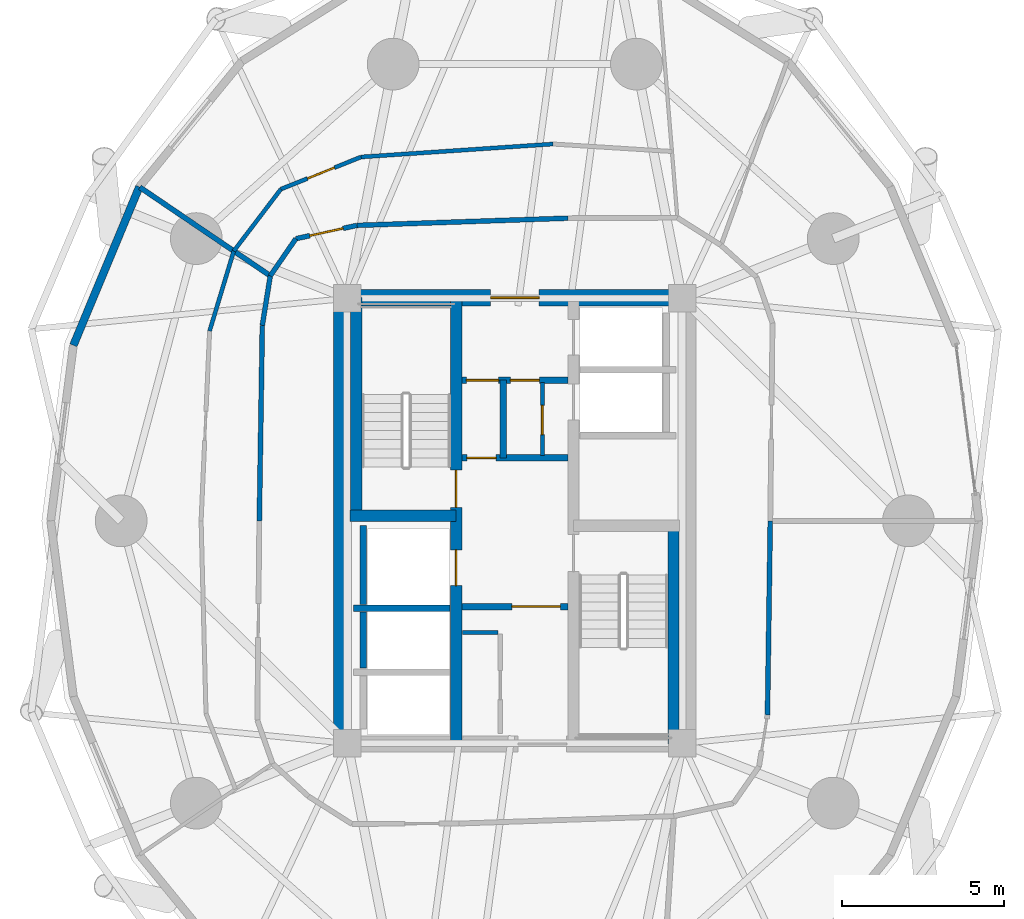
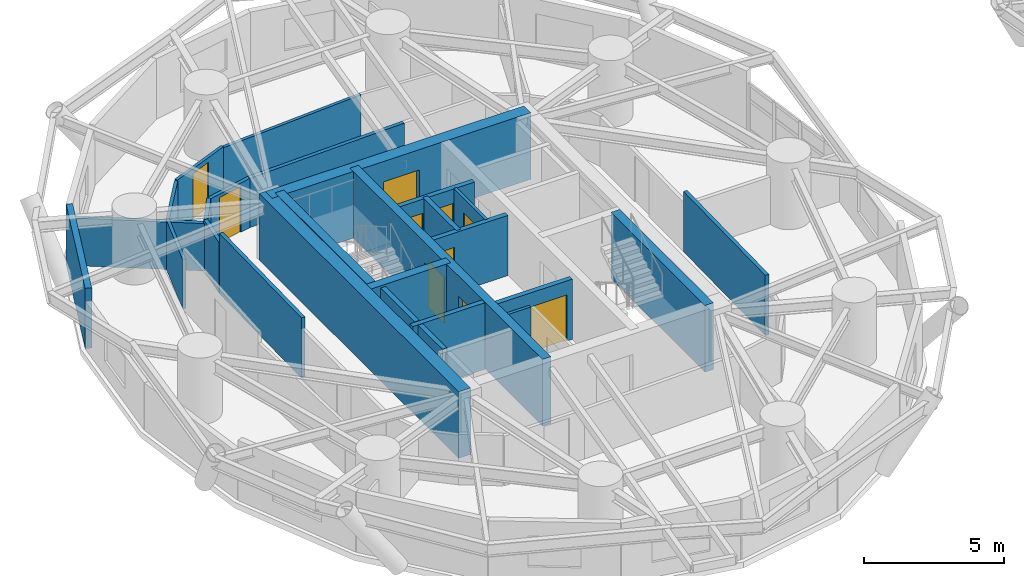
# One storey, part 10 of 17: 27 walls, 10 doors, 10 openings.
"""IFC4 building model written with IfcOpenShell, lengths in metres."""

from ifc_helpers import new_model, si_unit, direction, frame, frame_2d, origin, place, context, subcontext, project, spatial, rectangle, extrude, source, transform, mapped, material, layer, layer_set, type_object, element, fill, save


model = new_model("IFC4")

# Units and contexts
model_context = context("Model", 3, precision=1e-05, world=origin(), true_north=direction((0.0, 1.0)))
body_context = subcontext(model_context, "Body", "Model", "MODEL_VIEW")
ifc_project = project(units=[si_unit("LENGTHUNIT", "METRE"), si_unit("AREAUNIT", "SQUARE_METRE"), si_unit("VOLUMEUNIT", "CUBIC_METRE"), si_unit("PLANEANGLEUNIT", "RADIAN"), si_unit("MASSUNIT", "GRAM", prefix="KILO")], contexts=[model_context])

# Site, building, storey
site_placement = place(None, origin())
site = spatial("IfcSite", under=ifc_project, at=site_placement, CompositionType="ELEMENT")
building_placement = place(site_placement, origin())
building = spatial("IfcBuilding", under=site, at=building_placement, Name="Cununo Teusaquillo Station Towers", CompositionType="ELEMENT")
storey_placement = place(building_placement, frame((0.0, 0.0, 27.820068359375)))
storey = spatial("IfcBuildingStorey", under=building, at=storey_placement, Name="L07", CompositionType="ELEMENT", Elevation=27.820068359375)

# Walls
ifc_material_1 = material(Name="Concrete C50/60", Category="concrete")
ifc_layer_1 = layer(ifc_material_1, 0.199951171875)
ifc_layer_set_1 = layer_set([ifc_layer_1], Name="Concrete C50/60")
wall_type_1 = type_object("IfcWallType", Name="WL-CORE-200", PredefinedType="SHEAR", material=ifc_layer_set_1)
wall_1_placement = place(storey_placement, frame((11.52001953125, 21.800048828125, 0.0), z_axis=(0.0, 0.0, 1.0), x_axis=(1.0, 0.0, 0.0)))
element("IfcWall", 1, at=wall_1_placement, inside=storey, type_object=wall_type_1, Name="L07 Tower A Firefighting Lift Shaft South Shear Wall", PredefinedType="SHEAR", context=body_context, shape_type="SweptSolid", body=[
    extrude(rectangle(XDim=2.969970703125, YDim=0.199951171875, at=frame_2d((1.48486328125, 0.0))), origin(), (0.0, 0.0, 1.0), 2.909912109375),
])
wall_2_placement = place(storey_placement, frame((11.820068359375, 21.919921875, 0.0), z_axis=(0.0, 0.0, 1.0), x_axis=(0.0, 1.0, 0.0)))
element("IfcWall", 2, at=wall_2_placement, inside=storey, type_object=wall_type_1, Name="L07 Tower A Firefighting Lift Shaft Rear Shear Wall", PredefinedType="SHEAR", context=body_context, shape_type="SweptSolid", body=[
    extrude(rectangle(XDim=2.440185546875, YDim=0.199951171875, at=frame_2d((1.22021484375, 0.0))), origin(), (0.0, 0.0, 1.0), 2.909912109375),
])
wall_3_placement = place(storey_placement, frame((11.820068359375, 19.945068359375, 0.0), z_axis=(0.0, 0.0, 1.0), x_axis=(0.0, 1.0, 0.0)))
element("IfcWall", 3, at=wall_3_placement, inside=storey, type_object=wall_type_1, Name="L07 Tower A High-Rise Lift 2 Shaft Rear Shear Wall", PredefinedType="SHEAR", context=body_context, shape_type="SweptSolid", body=[
    extrude(rectangle(XDim=1.73486328125, YDim=0.199951171875, at=frame_2d((0.867431640625, 0.0))), origin(), (0.0, 0.0, 1.0), 2.909912109375),
])

# Wall, openings, doors
ifc_material_2 = material(Name="Concrete C50/60", Category="concrete")
ifc_layer_2 = layer(ifc_material_2, 0.35009765625)
ifc_layer_set_2 = layer_set([ifc_layer_2], Name="Concrete C50/60")
wall_type_2 = type_object("IfcWallType", Name="WL-CORE-350", PredefinedType="SHEAR", material=ifc_layer_set_2)
wall_4_placement = place(storey_placement, frame((14.68505859375, 17.60009765625, 0.0), z_axis=(0.0, 0.0, 1.0), x_axis=(0.0, 1.0, 0.0)))
wall_4 = element("IfcWall", 4, at=wall_4_placement, inside=storey, type_object=wall_type_2, Name="L07 Tower A Core Shear Wall IW", PredefinedType="SHEAR", context=body_context, shape_type="SweptSolid", body=[
    extrude(rectangle(XDim=13.7998046875, YDim=0.35009765625, at=frame_2d((6.89990234375, 0.0))), origin(), (0.0, 0.0, 1.0), 2.909912109375),
])
shared_shape_1 = source(origin(), body_context, "Body", "SweptSolid", [
    extrude(rectangle(XDim=1.10009765625, YDim=2.014892578125, at=frame_2d((0.550048828125, 1.00732421875))), frame((0.0, 0.18505859375, 0.0), z_axis=(0.0, -1.0, 0.0), x_axis=(1.0, 0.0, 0.0)), (0.0, 0.0, 1.0), 0.3701171875),
])
opening_1_placement = place(wall_4_placement, frame((4.89990234375, 0.0, 0.0)))
opening_1 = element("IfcOpeningElement", 5, at=opening_1_placement, cuts=wall_4, Name="Opening LD-01", PredefinedType="OPENING", context=body_context, shape_type="MappedRepresentation", body=[
    mapped(shared_shape_1, transform((0.0, 0.0, 0.0), x_axis=(1.0, 0.0, 0.0), y_axis=(0.0, 1.0, 0.0), z_axis=(0.0, 0.0, 1.0), scale=1.0)),
])
shared_shape_2 = source(origin(), body_context, "Body", "SweptSolid", [
    extrude(rectangle(XDim=1.14990234375, YDim=2.02001953125, at=frame_2d((0.574951171875, 1.010009765625))), frame((0.0, 0.18505859375, 0.0), z_axis=(0.0, -1.0, 0.0), x_axis=(1.0, 0.0, 0.0)), (0.0, 0.0, 1.0), 0.3701171875),
])
opening_2_placement = place(wall_4_placement, frame((7.320068359375, 0.0, 0.0)))
opening_2 = element("IfcOpeningElement", 6, at=opening_2_placement, cuts=wall_4, Name="Opening D-ST1", PredefinedType="OPENING", context=body_context, shape_type="MappedRepresentation", body=[
    mapped(shared_shape_2, transform((0.0, 0.0, 0.0), x_axis=(1.0, 0.0, 0.0), y_axis=(0.0, 1.0, 0.0), z_axis=(0.0, 0.0, 1.0), scale=1.0)),
])
ifc_material_3 = material(Name="Galvanised fire-rated hollow steel door assembly", Category="steel")
door_type_1 = type_object("IfcDoorType", Name="DR-LIFT-1100", OperationType="SLIDING_TO_LEFT", PredefinedType="DOOR", material=ifc_material_3)
shared_shape_3 = source(origin(), body_context, "Body", "SweptSolid", [
    extrude(rectangle(XDim=1.10009765625, YDim=2.014892578125, at=frame_2d((0.550048828125, 1.00732421875))), frame((0.0, 0.02490234375, 0.0), z_axis=(0.0, -1.0, 0.0), x_axis=(1.0, 0.0, 0.0)), (0.0, 0.0, 1.0), 0.050048828125),
])
door_1_placement = place(opening_1_placement, origin())
door_1 = element("IfcDoor", 7, at=door_1_placement, inside=storey, type_object=door_type_1, Name="L07 Lift FL-T1 Sliding Landing Door", OperationType="SLIDING_TO_RIGHT", OverallHeight=2.014892578125, OverallWidth=1.10009765625, PredefinedType="DOOR", context=body_context, shape_type="MappedRepresentation", body=[
    mapped(shared_shape_3, transform((0.0, 0.0, 0.0), x_axis=(1.0, 0.0, 0.0), y_axis=(0.0, 1.0, 0.0), z_axis=(0.0, 0.0, 1.0), scale=1.0)),
])
fill(opening_1, door_1)
ifc_material_4 = material(Name="Galvanised fire-rated hollow steel door assembly", Category="steel")
door_type_2 = type_object("IfcDoorType", Name="DR-STAIR-1150", OperationType="NOTDEFINED", PredefinedType="DOOR", material=ifc_material_4)
shared_shape_4 = source(origin(), body_context, "Body", "SweptSolid", [
    extrude(rectangle(XDim=1.14990234375, YDim=2.02001953125, at=frame_2d((0.574951171875, 1.010009765625))), frame((0.0, 0.02490234375, 0.0), z_axis=(0.0, -1.0, 0.0), x_axis=(1.0, 0.0, 0.0)), (0.0, 0.0, 1.0), 0.050048828125),
])
door_2_placement = place(opening_2_placement, origin())
door_2 = element("IfcDoor", 8, at=door_2_placement, inside=storey, type_object=door_type_2, Name="L07 Tower A Exit Stair 1 Fire Door", OperationType="SINGLE_SWING_RIGHT", OverallHeight=2.02001953125, OverallWidth=1.14990234375, PredefinedType="DOOR", context=body_context, shape_type="MappedRepresentation", body=[
    mapped(shared_shape_4, transform((0.0, 0.0, 0.0), x_axis=(1.0, 0.0, 0.0), y_axis=(0.0, 1.0, 0.0), z_axis=(0.0, 0.0, 1.0), scale=1.0)),
])
fill(opening_2, door_2)

# Walls
wall_5_placement = place(storey_placement, frame((11.594970703125, 24.655029296875, 0.0), z_axis=(0.0, 0.0, 1.0), x_axis=(0.0, 1.0, 0.0)))
element("IfcWall", 9, at=wall_5_placement, inside=storey, type_object=wall_type_2, Name="L07 Tower A Core Shear Wall ST1W", PredefinedType="SHEAR", context=body_context, shape_type="SweptSolid", body=[
    extrude(rectangle(XDim=6.744873046875, YDim=0.35009765625, at=frame_2d((3.37255859375, 0.0))), origin(), (0.0, 0.0, 1.0), 2.909912109375),
])
wall_6_placement = place(storey_placement, frame((11.39990234375, 24.655029296875, 0.0), z_axis=(0.0, 0.0, 1.0), x_axis=(1.0, 0.0, 0.0)))
element("IfcWall", 10, at=wall_6_placement, inside=storey, type_object=wall_type_2, Name="L07 Tower A Core Shear Wall ST1S", PredefinedType="SHEAR", context=body_context, shape_type="SweptSolid", body=[
    extrude(rectangle(XDim=3.28515625, YDim=0.35009765625, at=frame_2d((1.642578125, 0.0))), origin(), (0.0, 0.0, 1.0), 2.909912109375),
])
wall_7_placement = place(storey_placement, frame((21.405029296875, 17.60009765625, 0.0), z_axis=(0.0, 0.0, 1.0), x_axis=(0.0, 1.0, 0.0)))
element("IfcWall", 11, at=wall_7_placement, inside=storey, type_object=wall_type_2, Name="L07 Tower A Core Shear Wall ST2E", PredefinedType="SHEAR", context=body_context, shape_type="SweptSolid", body=[
    extrude(rectangle(XDim=6.744873046875, YDim=0.35009765625, at=frame_2d((3.37255859375, 0.0))), origin(), (0.0, 0.0, 1.0), 2.909912109375),
])
ifc_material_5 = material(Name="Concrete C60/75", Category="concrete")
ifc_layer_3 = layer(ifc_material_5, 0.5)
ifc_layer_set_3 = layer_set([ifc_layer_3], Name="Concrete C60/75")
wall_type_3 = type_object("IfcWallType", Name="WL-CORE-500", PredefinedType="SHEAR", material=ifc_layer_set_3)
wall_8_placement = place(storey_placement, frame((11.14990234375, 17.35009765625, 0.0), z_axis=(0.0, 0.0, 1.0), x_axis=(0.0, 1.0, 0.0)))
element("IfcWall", 12, at=wall_8_placement, inside=storey, type_object=wall_type_3, Name="L07 Tower A Core Shear Wall W", PredefinedType="SHEAR", context=body_context, shape_type="SweptSolid", body=[
    extrude(rectangle(XDim=14.2998046875, YDim=0.5, at=frame_2d((7.14990234375, 0.0))), origin(), (0.0, 0.0, 1.0), 2.909912109375),
])

# Wall, opening, door
wall_9_placement = place(storey_placement, frame((11.14990234375, 31.39990234375, 0.0), z_axis=(0.0, 0.0, 1.0), x_axis=(1.0, 0.0, 0.0)))
wall_9 = element("IfcWall", 13, at=wall_9_placement, inside=storey, type_object=wall_type_3, Name="L07 Tower A Core Shear Wall N", PredefinedType="SHEAR", context=body_context, shape_type="SweptSolid", body=[
    extrude(rectangle(XDim=10.7001953125, YDim=0.5, at=frame_2d((5.35009765625, 0.0))), origin(), (0.0, 0.0, 1.0), 2.909912109375),
])
shared_shape_5 = source(origin(), body_context, "Body", "SweptSolid", [
    extrude(rectangle(XDim=1.5, YDim=2.02001953125, at=frame_2d((0.75, 1.010009765625))), frame((0.0, 0.260009765625, 0.0), z_axis=(0.0, -1.0, 0.0), x_axis=(1.0, 0.0, 0.0)), (0.0, 0.0, 1.0), 0.52001953125),
])
opening_3_placement = place(wall_9_placement, frame((4.60009765625, 0.0, 0.0)))
opening_3 = element("IfcOpeningElement", 14, at=opening_3_placement, cuts=wall_9, Name="Opening D-LB1", PredefinedType="OPENING", context=body_context, shape_type="MappedRepresentation", body=[
    mapped(shared_shape_5, transform((0.0, 0.0, 0.0), x_axis=(1.0, 0.0, 0.0), y_axis=(0.0, 1.0, 0.0), z_axis=(0.0, 0.0, 1.0), scale=1.0)),
])
ifc_material_6 = material(Name="Galvanised fire-rated hollow steel door assembly", Category="steel")
door_type_3 = type_object("IfcDoorType", Name="DR-LOBBY-1500", OperationType="DOUBLE_DOOR_SINGLE_SWING", PredefinedType="DOOR", material=ifc_material_6)
shared_shape_6 = source(origin(), body_context, "Body", "SweptSolid", [
    extrude(rectangle(XDim=1.5, YDim=2.02001953125, at=frame_2d((0.75, 1.010009765625))), frame((0.0, 0.02490234375, 0.0), z_axis=(0.0, -1.0, 0.0), x_axis=(1.0, 0.0, 0.0)), (0.0, 0.0, 1.0), 0.050048828125),
])
door_3_placement = place(opening_3_placement, origin())
door_3 = element("IfcDoor", 15, at=door_3_placement, inside=storey, type_object=door_type_3, Name="L07 Tower A North Core Lift Lobby Door", OperationType="DOUBLE_DOOR_SINGLE_SWING", OverallHeight=2.02001953125, OverallWidth=1.5, PredefinedType="DOOR", context=body_context, shape_type="MappedRepresentation", body=[
    mapped(shared_shape_6, transform((0.0, 0.0, 0.0), x_axis=(1.0, 0.0, 0.0), y_axis=(0.0, 1.0, 0.0), z_axis=(0.0, 0.0, 1.0), scale=1.0)),
])
fill(opening_3, door_3)

# Walls
ifc_material_7 = material(Name="Precast concrete C40/50", Category="concrete")
ifc_layer_4 = layer(ifc_material_7, 0.239990234375)
ifc_layer_set_4 = layer_set([ifc_layer_4], Name="Precast concrete C40/50")
wall_type_4 = type_object("IfcWallType", Name="WL-EXT-240", PredefinedType="SOLIDWALL", material=ifc_layer_set_4)
wall_10_placement = place(storey_placement, frame((2.851318359375, 29.929443359375, 0.0), z_axis=(0.0, 0.0, 1.0), x_axis=(0.384255919668, 0.923226618009, 0.0)))
element("IfcWall", 16, at=wall_10_placement, inside=storey, type_object=wall_type_4, Name="L07 Tower A Exterior Facade Wall C08", PredefinedType="SOLIDWALL", context=body_context, shape_type="SweptSolid", body=[
    extrude(rectangle(XDim=5.30517578125, YDim=0.239990234375, at=frame_2d((2.652587890625, 0.0))), origin(), (0.0, 0.0, 1.0), 2.635009765625),
])
ifc_material_8 = material(Name="Fire-rated gypsum plasterboard partition assembly", Category="gypsum")
ifc_layer_5 = layer(ifc_material_8, 0.125)
ifc_layer_set_5 = layer_set([ifc_layer_5], Name="Fire-rated gypsum plasterboard partition assembly")
wall_type_5 = type_object("IfcWallType", Name="WL-PART-125", PredefinedType="PARTITIONING", material=ifc_layer_set_5)
wall_11_placement = place(storey_placement, frame((14.8798828125, 21.050048828125, 0.0), z_axis=(0.0, 0.0, 1.0), x_axis=(1.0, 0.0, 0.0)))
element("IfcWall", 17, at=wall_11_placement, inside=storey, type_object=wall_type_5, Name="L07 Tower A South-West Tall Store North Wall", PredefinedType="PARTITIONING", context=body_context, shape_type="SweptSolid", body=[
    extrude(rectangle(XDim=1.10009765625, YDim=0.125, at=frame_2d((0.550048828125, 0.0))), origin(), (0.0, 0.0, 1.0), 2.635009765625),
])

# Wall, opening, door
wall_12_placement = place(storey_placement, frame((17.35009765625, 26.52001953125, 0.0), z_axis=(0.0, 0.0, 1.0), x_axis=(0.0, 1.0, 0.0)))
wall_12 = element("IfcWall", 18, at=wall_12_placement, inside=storey, type_object=wall_type_5, Name="L07 Tower A Core Vertical Split Wall", PredefinedType="PARTITIONING", context=body_context, shape_type="SweptSolid", body=[
    extrude(rectangle(XDim=2.260009765625, YDim=0.125, at=frame_2d((1.1298828125, 0.0))), origin(), (0.0, 0.0, 1.0), 2.635009765625),
])
shared_shape_7 = source(origin(), body_context, "Body", "SweptSolid", [
    extrude(rectangle(XDim=0.89990234375, YDim=2.0048828125, at=frame_2d((0.449951171875, 1.00244140625))), frame((0.0, 0.072509765625, 0.0), z_axis=(0.0, -1.0, 0.0), x_axis=(1.0, 0.0, 0.0)), (0.0, 0.0, 1.0), 0.14501953125),
])
opening_4_placement = place(wall_12_placement, frame((0.64990234375, 0.0, 0.0)))
opening_4 = element("IfcOpeningElement", 19, at=opening_4_placement, cuts=wall_12, Name="Opening D-SR1", PredefinedType="OPENING", context=body_context, shape_type="MappedRepresentation", body=[
    mapped(shared_shape_7, transform((0.0, 0.0, 0.0), x_axis=(1.0, 0.0, 0.0), y_axis=(0.0, 1.0, 0.0), z_axis=(0.0, 0.0, 1.0), scale=1.0)),
])
ifc_material_9 = material(Name="Galvanised fire-rated hollow steel door assembly", Category="steel")
door_type_4 = type_object("IfcDoorType", Name="DR-STORE-900", OperationType="NOTDEFINED", PredefinedType="DOOR", material=ifc_material_9)
shared_shape_8 = source(origin(), body_context, "Body", "SweptSolid", [
    extrude(rectangle(XDim=0.89990234375, YDim=2.0048828125, at=frame_2d((0.449951171875, 1.00244140625))), frame((0.0, 0.02490234375, 0.0), z_axis=(0.0, -1.0, 0.0), x_axis=(1.0, 0.0, 0.0)), (0.0, 0.0, 1.0), 0.050048828125),
])
door_4_placement = place(opening_4_placement, origin())
door_4 = element("IfcDoor", 20, at=door_4_placement, inside=storey, type_object=door_type_4, Name="L07 Tower A Core Electrical Room Door", OperationType="SINGLE_SWING_RIGHT", OverallHeight=2.0048828125, OverallWidth=0.89990234375, PredefinedType="DOOR", context=body_context, shape_type="MappedRepresentation", body=[
    mapped(shared_shape_8, transform((0.0, 0.0, 0.0), x_axis=(1.0, 0.0, 0.0), y_axis=(0.0, 1.0, 0.0), z_axis=(0.0, 0.0, 1.0), scale=1.0)),
])
fill(opening_4, door_4)

# Wall
wall_13_placement = place(storey_placement, frame((17.682861328125, 36.15283203125, 0.0), z_axis=(0.0, 0.0, 1.0), x_axis=(-0.997730540088, -0.067333270944, 0.0)))
element("IfcWall", 21, at=wall_13_placement, inside=storey, type_object=wall_type_5, Name="L07 Tower A Simultaneous Interpretation Hall Concentric Partition Wall C05", PredefinedType="PARTITIONING", context=body_context, shape_type="SweptSolid", body=[
    extrude(rectangle(XDim=5.949951171875, YDim=0.125, at=frame_2d((2.97509765625, 0.0))), origin(), (0.0, 0.0, 1.0), 2.158935546875),
])

# Wall, opening, door
wall_14_placement = place(storey_placement, frame((11.746337890625, 35.752197265625, 0.0), z_axis=(0.0, 0.0, 1.0), x_axis=(-0.928091790064, -0.372351486119, 0.0)))
wall_14 = element("IfcWall", 22, at=wall_14_placement, inside=storey, type_object=wall_type_5, Name="L07 Tower A Simultaneous Interpretation Hall Concentric Partition Wall C06", PredefinedType="PARTITIONING", context=body_context, shape_type="SweptSolid", body=[
    extrude(rectangle(XDim=2.671875, YDim=0.125, at=frame_2d((1.3359375, 0.0))), origin(), (0.0, 0.0, 1.0), 2.204833984375),
])
opening_5_placement = place(wall_14_placement, frame((0.885986328125, 0.0, 0.0)))
opening_5 = element("IfcOpeningElement", 23, at=opening_5_placement, cuts=wall_14, Name="Opening D-IN1", PredefinedType="OPENING", context=body_context, shape_type="MappedRepresentation", body=[
    mapped(shared_shape_7, transform((0.0, 0.0, 0.0), x_axis=(1.0, 0.0, 0.0), y_axis=(0.0, 1.0, 0.0), z_axis=(0.0, 0.0, 1.0), scale=1.0)),
])
ifc_material_10 = material(Name="Acoustic solid-core hardwood leaf assembly", Category="wood")
door_type_5 = type_object("IfcDoorType", Name="DR-INT-900", OperationType="NOTDEFINED", PredefinedType="DOOR", material=ifc_material_10)
door_5_placement = place(opening_5_placement, origin())
door_5 = element("IfcDoor", 24, at=door_5_placement, inside=storey, type_object=door_type_5, Name="L07 Tower A Simultaneous Interpretation Hall Connecting Door", OperationType="SINGLE_SWING_RIGHT", OverallHeight=2.0048828125, OverallWidth=0.89990234375, PredefinedType="DOOR", context=body_context, shape_type="MappedRepresentation", body=[
    mapped(shared_shape_8, transform((0.0, 0.0, 0.0), x_axis=(1.0, 0.0, 0.0), y_axis=(0.0, 1.0, 0.0), z_axis=(0.0, 0.0, 1.0), scale=1.0)),
])
fill(opening_5, door_5)

# Walls
wall_15_placement = place(storey_placement, frame((9.2666015625, 34.75732421875, 0.0), z_axis=(0.0, 0.0, 1.0), x_axis=(-0.60573716219, -0.795664810295, 0.0)))
element("IfcWall", 25, at=wall_15_placement, inside=storey, type_object=wall_type_5, Name="L07 Tower A Simultaneous Interpretation Hall Concentric Partition Wall C07", PredefinedType="PARTITIONING", context=body_context, shape_type="SweptSolid", body=[
    extrude(rectangle(XDim=2.40380859375, YDim=0.125, at=frame_2d((1.201904296875, 0.0))), origin(), (0.0, 0.0, 1.0), 2.158935546875),
])
wall_16_placement = place(storey_placement, frame((7.810546875, 32.8447265625, 0.0), z_axis=(0.0, 0.0, 1.0), x_axis=(-0.289357304294, -0.957221160679, 0.0)))
element("IfcWall", 26, at=wall_16_placement, inside=storey, type_object=wall_type_5, Name="L07 Tower A Press & Broadcast Briefing Hall Concentric Partition Wall C08", PredefinedType="PARTITIONING", context=body_context, shape_type="SweptSolid", body=[
    extrude(rectangle(XDim=2.585205078125, YDim=0.125, at=frame_2d((1.29248046875, 0.0))), origin(), (0.0, 0.0, 1.0), 2.158935546875),
])
ifc_material_11 = material(Name="Fire-rated gypsum plasterboard partition assembly", Category="gypsum")
ifc_layer_6 = layer(ifc_material_11, 0.14990234375)
ifc_layer_set_6 = layer_set([ifc_layer_6], Name="Fire-rated gypsum plasterboard partition assembly")
wall_type_6 = type_object("IfcWallType", Name="WL-PART-150", PredefinedType="PARTITIONING", material=ifc_layer_set_6)
wall_17_placement = place(storey_placement, frame((18.142822265625, 33.859619140625, 0.0), z_axis=(0.0, 0.0, 1.0), x_axis=(-0.999419208319, -0.034077060363, 0.0)))
element("IfcWall", 27, at=wall_17_placement, inside=storey, type_object=wall_type_6, Name="L07 Tower A Corridor Ring Wall C05", PredefinedType="PARTITIONING", context=body_context, shape_type="SweptSolid", body=[
    extrude(rectangle(XDim=6.52685546875, YDim=0.14990234375, at=frame_2d((3.263427734375, 0.0))), origin(), (0.0, 0.0, 1.0), 2.158935546875),
])

# Wall, opening, door
wall_18_placement = place(storey_placement, frame((11.619873046875, 33.63720703125, 0.0), z_axis=(0.0, 0.0, 1.0), x_axis=(-0.97702579435, -0.213121085711, 0.0)))
wall_18 = element("IfcWall", 28, at=wall_18_placement, inside=storey, type_object=wall_type_6, Name="L07 Tower A Corridor Ring Wall C06", PredefinedType="PARTITIONING", context=body_context, shape_type="SweptSolid", body=[
    extrude(rectangle(XDim=1.934814453125, YDim=0.14990234375, at=frame_2d((0.96728515625, 0.0))), origin(), (0.0, 0.0, 1.0), 2.158935546875),
])
shared_shape_9 = source(origin(), body_context, "Body", "SweptSolid", [
    extrude(rectangle(XDim=1.050048828125, YDim=2.014892578125, at=frame_2d((0.52490234375, 1.00732421875))), frame((0.0, 0.0849609375, 0.0), z_axis=(0.0, -1.0, 0.0), x_axis=(1.0, 0.0, 0.0)), (0.0, 0.0, 1.0), 0.169921875),
])
opening_6_placement = place(wall_18_placement, frame((0.4423828125, 0.0, 0.0)))
opening_6 = element("IfcOpeningElement", 29, at=opening_6_placement, cuts=wall_18, Name="Opening D-SU1", PredefinedType="OPENING", context=body_context, shape_type="MappedRepresentation", body=[
    mapped(shared_shape_9, transform((0.0, 0.0, 0.0), x_axis=(1.0, 0.0, 0.0), y_axis=(0.0, 1.0, 0.0), z_axis=(0.0, 0.0, 1.0), scale=1.0)),
])
ifc_material_12 = material(Name="Acoustic solid-core hardwood leaf assembly", Category="wood")
door_type_6 = type_object("IfcDoorType", Name="DR-SUITE-1050", OperationType="NOTDEFINED", PredefinedType="DOOR", material=ifc_material_12)
shared_shape_10 = source(origin(), body_context, "Body", "SweptSolid", [
    extrude(rectangle(XDim=1.050048828125, YDim=2.014892578125, at=frame_2d((0.52490234375, 1.00732421875))), frame((0.0, 0.02490234375, 0.0), z_axis=(0.0, -1.0, 0.0), x_axis=(1.0, 0.0, 0.0)), (0.0, 0.0, 1.0), 0.050048828125),
])
door_6_placement = place(opening_6_placement, origin())
door_6 = element("IfcDoor", 30, at=door_6_placement, inside=storey, type_object=door_type_6, Name="L07 Tower A Simultaneous Interpretation Hall Entrance Door", OperationType="SINGLE_SWING_LEFT", OverallHeight=2.014892578125, OverallWidth=1.050048828125, PredefinedType="DOOR", context=body_context, shape_type="MappedRepresentation", body=[
    mapped(shared_shape_10, transform((0.0, 0.0, 0.0), x_axis=(1.0, 0.0, 0.0), y_axis=(0.0, 1.0, 0.0), z_axis=(0.0, 0.0, 1.0), scale=1.0)),
])
fill(opening_6, door_6)

# Walls
wall_19_placement = place(storey_placement, frame((9.7294921875, 33.224853515625, 0.0), z_axis=(0.0, 0.0, 1.0), x_axis=(-0.567183649484, -0.82359134755, 0.0)))
element("IfcWall", 31, at=wall_19_placement, inside=storey, type_object=wall_type_6, Name="L07 Tower A Corridor Ring Wall C07", PredefinedType="PARTITIONING", context=body_context, shape_type="SweptSolid", body=[
    extrude(rectangle(XDim=1.39208984375, YDim=0.14990234375, at=frame_2d((0.696044921875, 0.0))), origin(), (0.0, 0.0, 1.0), 2.158935546875),
])
wall_20_placement = place(storey_placement, frame((8.93994140625, 32.078369140625, 0.0), z_axis=(0.0, 0.0, 1.0), x_axis=(-0.159148467753, -0.98725466077, 0.0)))
element("IfcWall", 32, at=wall_20_placement, inside=storey, type_object=wall_type_6, Name="L07 Tower A Corridor Ring Wall C08", PredefinedType="PARTITIONING", context=body_context, shape_type="SweptSolid", body=[
    extrude(rectangle(XDim=1.553955078125, YDim=0.14990234375, at=frame_2d((0.77685546875, 0.0))), origin(), (0.0, 0.0, 1.0), 2.204833984375),
])
wall_21_placement = place(storey_placement, frame((8.692626953125, 30.544189453125, 0.0), z_axis=(0.0, 0.0, 1.0), x_axis=(-0.015307007986, -0.99988284089, 0.0)))
element("IfcWall", 33, at=wall_21_placement, inside=storey, type_object=wall_type_6, Name="L07 Tower A Corridor Ring Wall C09", PredefinedType="PARTITIONING", context=body_context, shape_type="SweptSolid", body=[
    extrude(rectangle(XDim=6.044921875, YDim=0.14990234375, at=frame_2d((3.0224609375, 0.0))), origin(), (0.0, 0.0, 1.0), 2.635009765625),
])
wall_22_placement = place(storey_placement, frame((24.3134765625, 18.496337890625, 0.0), z_axis=(0.0, 0.0, 1.0), x_axis=(0.014394019188, 0.999896400739, 0.0)))
element("IfcWall", 34, at=wall_22_placement, inside=storey, type_object=wall_type_6, Name="L07 Tower A Corridor Ring Wall C19", PredefinedType="PARTITIONING", context=body_context, shape_type="SweptSolid", body=[
    extrude(rectangle(XDim=6.00439453125, YDim=0.14990234375, at=frame_2d((3.002197265625, 0.0))), origin(), (0.0, 0.0, 1.0), 2.635009765625),
])
ifc_material_13 = material(Name="Fire-rated gypsum plasterboard partition assembly", Category="gypsum")
ifc_layer_7 = layer(ifc_material_13, 0.159912109375)
ifc_layer_set_7 = layer_set([ifc_layer_7], Name="Fire-rated gypsum plasterboard partition assembly")
wall_type_7 = type_object("IfcWallType", Name="WL-PART-160", PredefinedType="PARTITIONING", material=ifc_layer_set_7)
wall_23_placement = place(storey_placement, frame((8.93994140625, 32.078369140625, 0.0), z_axis=(0.0, 0.0, 1.0), x_axis=(-0.827476605417, 0.561500193666, 0.0)))
element("IfcWall", 35, at=wall_23_placement, inside=storey, type_object=wall_type_7, Name="L07 Tower A Radial Suite Partition R03", PredefinedType="PARTITIONING", context=body_context, shape_type="SweptSolid", body=[
    extrude(rectangle(XDim=4.875, YDim=0.159912109375, at=frame_2d((2.4375, 0.0))), origin(), (0.0, 0.0, 1.0), 2.072998046875),
])

# Wall, opening, door
ifc_material_14 = material(Name="Fire-rated gypsum plasterboard partition assembly", Category="gypsum")
ifc_layer_8 = layer(ifc_material_14, 0.199951171875)
ifc_layer_set_8 = layer_set([ifc_layer_8], Name="Fire-rated gypsum plasterboard partition assembly")
wall_type_8 = type_object("IfcWallType", Name="WL-PART-200", PredefinedType="PARTITIONING", material=ifc_layer_set_8)
wall_24_placement = place(storey_placement, frame((14.860107421875, 21.85009765625, 0.0), z_axis=(0.0, 0.0, 1.0), x_axis=(1.0, 0.0, 0.0)))
wall_24 = element("IfcWall", 36, at=wall_24_placement, inside=storey, type_object=wall_type_8, Name="L07 Tower A Firefighting Lift Lobby South Fire Wall", PredefinedType="PARTITIONING", context=body_context, shape_type="SweptSolid", body=[
    extrude(rectangle(XDim=3.27978515625, YDim=0.199951171875, at=frame_2d((1.639892578125, 0.0))), origin(), (0.0, 0.0, 1.0), 2.635009765625),
])
shared_shape_11 = source(origin(), body_context, "Body", "SweptSolid", [
    extrude(rectangle(XDim=1.5, YDim=2.02001953125, at=frame_2d((0.75, 1.010009765625))), frame((0.0, 0.10986328125, 0.0), z_axis=(0.0, -1.0, 0.0), x_axis=(1.0, 0.0, 0.0)), (0.0, 0.0, 1.0), 0.219970703125),
])
opening_7_placement = place(wall_24_placement, frame((1.550048828125, 0.0, 0.0)))
opening_7 = element("IfcOpeningElement", 37, at=opening_7_placement, cuts=wall_24, Name="Opening D-LB1", PredefinedType="OPENING", context=body_context, shape_type="MappedRepresentation", body=[
    mapped(shared_shape_11, transform((0.0, 0.0, 0.0), x_axis=(1.0, 0.0, 0.0), y_axis=(0.0, 1.0, 0.0), z_axis=(0.0, 0.0, 1.0), scale=1.0)),
])
door_7_placement = place(opening_7_placement, origin())
door_7 = element("IfcDoor", 38, at=door_7_placement, inside=storey, type_object=door_type_3, Name="L07 Tower A Firefighting Lift Lobby South Fire Door", OperationType="DOUBLE_DOOR_SINGLE_SWING", OverallHeight=2.02001953125, OverallWidth=1.5, PredefinedType="DOOR", context=body_context, shape_type="MappedRepresentation", body=[
    mapped(shared_shape_6, transform((0.0, 0.0, 0.0), x_axis=(1.0, 0.0, 0.0), y_axis=(0.0, 1.0, 0.0), z_axis=(0.0, 0.0, 1.0), scale=1.0)),
])
fill(opening_7, door_7)

wall_25_placement = place(storey_placement, frame((14.860107421875, 26.449951171875, 0.0), z_axis=(0.0, 0.0, 1.0), x_axis=(1.0, 0.0, 0.0)))
wall_25 = element("IfcWall", 39, at=wall_25_placement, inside=storey, type_object=wall_type_8, Name="L07 Tower A Firefighting Lift Lobby North Fire Wall", PredefinedType="PARTITIONING", context=body_context, shape_type="SweptSolid", body=[
    extrude(rectangle(XDim=3.27978515625, YDim=0.199951171875, at=frame_2d((1.639892578125, 0.0))), origin(), (0.0, 0.0, 1.0), 2.635009765625),
])
shared_shape_12 = source(origin(), body_context, "Body", "SweptSolid", [
    extrude(rectangle(XDim=0.89990234375, YDim=2.0048828125, at=frame_2d((0.449951171875, 1.00244140625))), frame((0.0, 0.10986328125, 0.0), z_axis=(0.0, -1.0, 0.0), x_axis=(1.0, 0.0, 0.0)), (0.0, 0.0, 1.0), 0.219970703125),
])
opening_8_placement = place(wall_25_placement, frame((0.159912109375, 0.0, 0.0)))
opening_8 = element("IfcOpeningElement", 40, at=opening_8_placement, cuts=wall_25, Name="Opening D-SR1", PredefinedType="OPENING", context=body_context, shape_type="MappedRepresentation", body=[
    mapped(shared_shape_12, transform((0.0, 0.0, 0.0), x_axis=(1.0, 0.0, 0.0), y_axis=(0.0, 1.0, 0.0), z_axis=(0.0, 0.0, 1.0), scale=1.0)),
])
door_8_placement = place(opening_8_placement, origin())
door_8 = element("IfcDoor", 41, at=door_8_placement, inside=storey, type_object=door_type_4, Name="L07 Tower A Stair 1 Protected Vestibule South Door", OperationType="SINGLE_SWING_RIGHT", OverallHeight=2.0048828125, OverallWidth=0.89990234375, PredefinedType="DOOR", context=body_context, shape_type="MappedRepresentation", body=[
    mapped(shared_shape_8, transform((0.0, 0.0, 0.0), x_axis=(1.0, 0.0, 0.0), y_axis=(0.0, 1.0, 0.0), z_axis=(0.0, 0.0, 1.0), scale=1.0)),
])
fill(opening_8, door_8)

# Wall
wall_26_placement = place(storey_placement, frame((16.14990234375, 26.449951171875, 0.0), z_axis=(0.0, 0.0, 1.0), x_axis=(0.0, 1.0, 0.0)))
element("IfcWall", 42, at=wall_26_placement, inside=storey, type_object=wall_type_8, Name="L07 Tower A Stair 1 Vestibule Partition Wall", PredefinedType="PARTITIONING", context=body_context, shape_type="SweptSolid", body=[
    extrude(rectangle(XDim=2.400146484375, YDim=0.199951171875, at=frame_2d((1.2001953125, 0.0))), origin(), (0.0, 0.0, 1.0), 2.635009765625),
])

# Wall, openings, doors
wall_27_placement = place(storey_placement, frame((14.860107421875, 28.85009765625, 0.0), z_axis=(0.0, 0.0, 1.0), x_axis=(1.0, 0.0, 0.0)))
wall_27 = element("IfcWall", 43, at=wall_27_placement, inside=storey, type_object=wall_type_8, Name="L07 Tower A North Lift Lobby South Fire Wall", PredefinedType="PARTITIONING", context=body_context, shape_type="SweptSolid", body=[
    extrude(rectangle(XDim=3.27978515625, YDim=0.199951171875, at=frame_2d((1.639892578125, 0.0))), origin(), (0.0, 0.0, 1.0), 2.635009765625),
])
shared_shape_13 = source(origin(), body_context, "Body", "SweptSolid", [
    extrude(rectangle(XDim=1.0, YDim=2.014892578125, at=frame_2d((0.5, 1.00732421875))), frame((0.0, 0.10986328125, 0.0), z_axis=(0.0, -1.0, 0.0), x_axis=(1.0, 0.0, 0.0)), (0.0, 0.0, 1.0), 0.219970703125),
])
opening_9_placement = place(wall_27_placement, frame((0.139892578125, 0.0, 0.0)))
opening_9 = element("IfcOpeningElement", 44, at=opening_9_placement, cuts=wall_27, Name="Opening D-AC1", PredefinedType="OPENING", context=body_context, shape_type="MappedRepresentation", body=[
    mapped(shared_shape_13, transform((0.0, 0.0, 0.0), x_axis=(1.0, 0.0, 0.0), y_axis=(0.0, 1.0, 0.0), z_axis=(0.0, 0.0, 1.0), scale=1.0)),
])
opening_10_placement = place(wall_27_placement, frame((1.5, 0.0, 0.0)))
opening_10 = element("IfcOpeningElement", 45, at=opening_10_placement, cuts=wall_27, Name="Opening D-SR1", PredefinedType="OPENING", context=body_context, shape_type="MappedRepresentation", body=[
    mapped(shared_shape_12, transform((0.0, 0.0, 0.0), x_axis=(1.0, 0.0, 0.0), y_axis=(0.0, 1.0, 0.0), z_axis=(0.0, 0.0, 1.0), scale=1.0)),
])
door_9_placement = place(opening_10_placement, origin())
door_9 = element("IfcDoor", 46, at=door_9_placement, inside=storey, type_object=door_type_4, Name="L07 Tower A Core Housekeeping Store Door", OperationType="SINGLE_SWING_LEFT", OverallHeight=2.0048828125, OverallWidth=0.89990234375, PredefinedType="DOOR", context=body_context, shape_type="MappedRepresentation", body=[
    mapped(shared_shape_8, transform((0.0, 0.0, 0.0), x_axis=(1.0, 0.0, 0.0), y_axis=(0.0, 1.0, 0.0), z_axis=(0.0, 0.0, 1.0), scale=1.0)),
])
fill(opening_10, door_9)
ifc_material_15 = material(Name="Acoustic solid-core hardwood leaf assembly", Category="wood")
door_type_7 = type_object("IfcDoorType", Name="DR-ACC-1000", OperationType="NOTDEFINED", PredefinedType="DOOR", material=ifc_material_15)
shared_shape_14 = source(origin(), body_context, "Body", "SweptSolid", [
    extrude(rectangle(XDim=1.0, YDim=2.014892578125, at=frame_2d((0.5, 1.00732421875))), frame((0.0, 0.02490234375, 0.0), z_axis=(0.0, -1.0, 0.0), x_axis=(1.0, 0.0, 0.0)), (0.0, 0.0, 1.0), 0.050048828125),
])
door_10_placement = place(opening_9_placement, origin())
door_10 = element("IfcDoor", 47, at=door_10_placement, inside=storey, type_object=door_type_7, Name="L07 Tower A North Lift Lobby to Stair 1 Vestibule Door", OperationType="SINGLE_SWING_LEFT", OverallHeight=2.014892578125, OverallWidth=1.0, PredefinedType="DOOR", context=body_context, shape_type="MappedRepresentation", body=[
    mapped(shared_shape_14, transform((0.0, 0.0, 0.0), x_axis=(1.0, 0.0, 0.0), y_axis=(0.0, 1.0, 0.0), z_axis=(0.0, 0.0, 1.0), scale=1.0)),
])
fill(opening_9, door_10)

save(model, "model.ifc")
